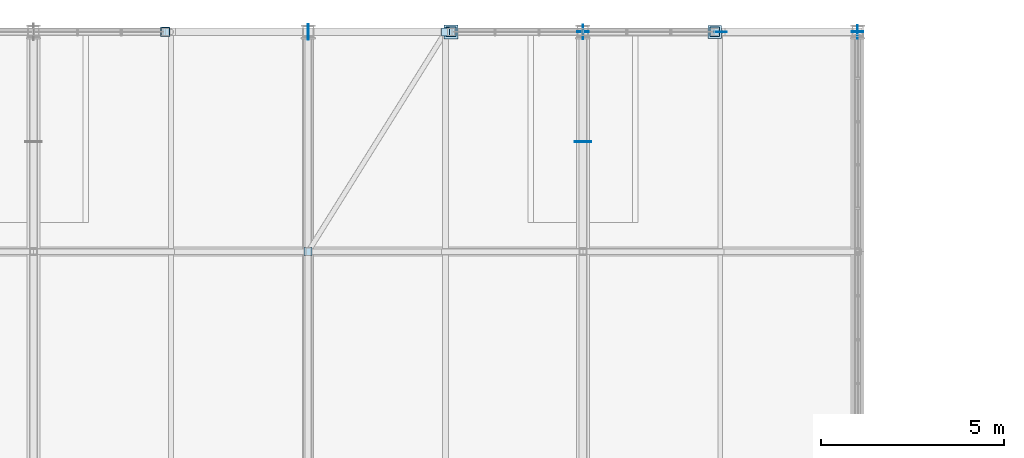
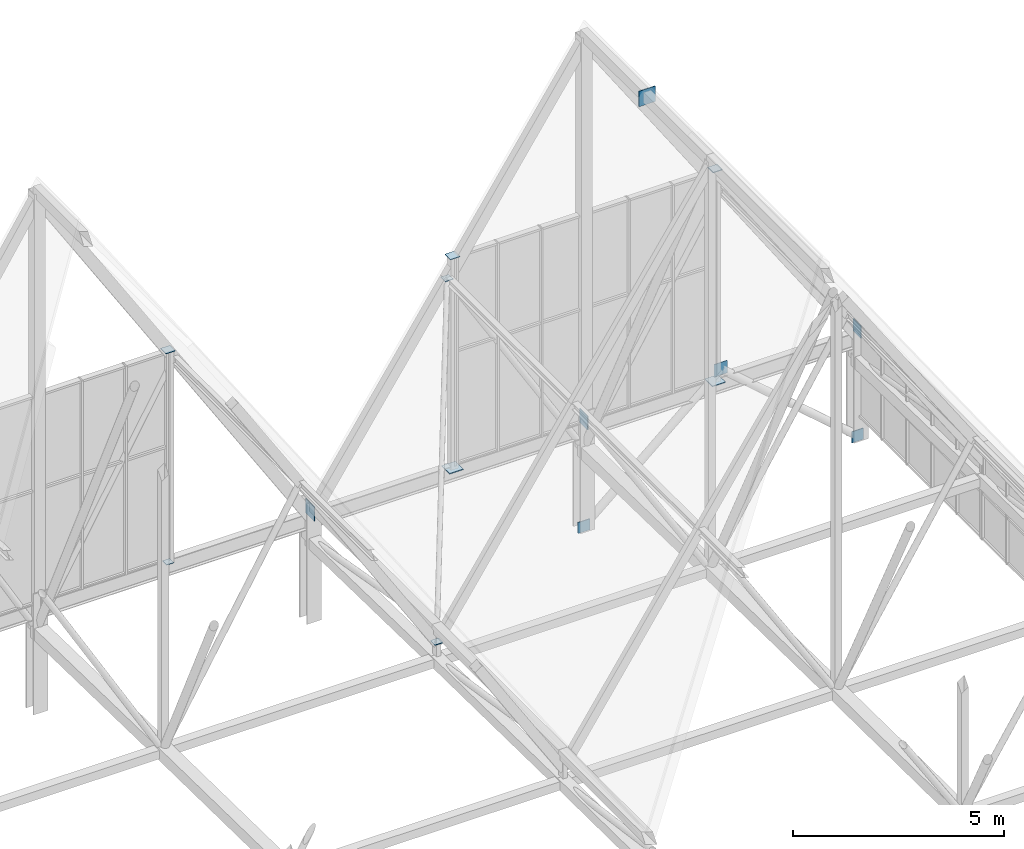
# One storey, part 304 of 324: 15 plates.
"""IFC4 building model written with IfcOpenShell, lengths in metres."""

from ifc_helpers import new_model, si_unit, direction, frame, origin, origin_2d, place, context, subcontext, project, spatial, rectangle, extrude, material, layer, layer_set, type_object, element, save


model = new_model("IFC4")

# Units and contexts
model_context = context("Model", 3, precision=1e-05, world=origin(), true_north=direction((0.0, 1.0)))
body_context = subcontext(model_context, "Body", "Model", "MODEL_VIEW")
ifc_project = project(units=[si_unit("LENGTHUNIT", "METRE"), si_unit("AREAUNIT", "SQUARE_METRE"), si_unit("VOLUMEUNIT", "CUBIC_METRE"), si_unit("PLANEANGLEUNIT", "RADIAN"), si_unit("MASSUNIT", "GRAM", prefix="KILO")], contexts=[model_context])

# Site, building, storey
site_placement = place(None, origin())
site = spatial("IfcSite", under=ifc_project, at=site_placement, CompositionType="ELEMENT")
building_placement = place(site_placement, origin())
building = spatial("IfcBuilding", under=site, at=building_placement, Name="Solvenia Promenade Tram Depot", CompositionType="ELEMENT")
storey_placement = place(building_placement, frame((0.0, 0.0, 4.5)))
storey = spatial("IfcBuildingStorey", under=building, at=storey_placement, Name="L01", CompositionType="ELEMENT", Elevation=4.5)

# Plates
ifc_material = material(Name="Structural steel ASTM A572 Gr. 50", Category="steel")
ifc_layer_1 = layer(ifc_material, 0.02392578125, Name="Structural steel ASTM A572 Gr. 50", Category="steel")
ifc_layer_set_1 = layer_set([ifc_layer_1], Name="Structural steel ASTM A572 Gr. 50")
plate_type_1 = type_object("IfcPlateType", Name="EndCap-CP1", PredefinedType="SHEET", material=ifc_layer_set_1)
plate_1_placement = place(storey_placement, frame((146.25, 126.0, 3.1201171875), z_axis=(0.0, 0.0, 1.0), x_axis=(1.0, 0.0, 0.0)))
element("IfcPlate", 1, at=plate_1_placement, inside=storey, type_object=plate_type_1, Name="Chevron Gusset Cap Plate 06", PredefinedType="SHEET", context=body_context, shape_type="SweptSolid", body=[
    extrude(rectangle(XDim=0.360107421875, YDim=0.02001953125, at=origin_2d()), origin(), (0.0, 0.0, 1.0), 0.360107421875),
])
for number, where, z_axis, x_axis, name in (
    (2, (142.5, 126.0, -0.10986328125), (0.0, 0.0, 1.0), (1.0, 0.0, 0.0), "Chevron Left Foot Gusset Plate 06"),
    (3, (150.0, 126.0, -0.10986328125), (0.0, 0.0, 1.0), (1.0, 0.0, 0.0), "Chevron Right Foot Gusset Plate 06"),
):
    element("IfcPlate", number, at=place(storey_placement, frame(where, z_axis=z_axis, x_axis=x_axis)), inside=storey, type_object=plate_type_1, Name=name, PredefinedType="SHEET", context=body_context, shape_type="SweptSolid", body=[
        extrude(rectangle(XDim=0.320068359375, YDim=0.02392578125, at=origin_2d()), origin(), (0.0, 0.0, 1.0), 0.320068359375),
    ])
ifc_layer_2 = layer(ifc_material, 0.012939453125, Name="Structural steel ASTM A572 Gr. 50", Category="steel")
ifc_layer_set_2 = layer_set([ifc_layer_2], Name="Structural steel ASTM A572 Gr. 50")
plate_type_2 = type_object("IfcPlateType", Name="EndCap-CP11", PredefinedType="SHEET", material=ifc_layer_set_2)
plate_2_placement = place(storey_placement, frame((131.10009765625, 126.0, 2.99365234375), z_axis=(0.0, 0.0, 1.0), x_axis=(1.0, 0.0, 0.0)))
element("IfcPlate", 4, at=plate_2_placement, inside=storey, type_object=plate_type_2, Name="Gable Jamb Bottom Cap Plate 034", PredefinedType="SHEET", context=body_context, shape_type="SweptSolid", body=[
    extrude(rectangle(XDim=0.199951171875, YDim=0.199951171875, at=origin_2d()), origin(), (0.0, 0.0, 1.0), 0.012939453125),
])
ifc_layer_3 = layer(ifc_material, 0.02197265625, Name="Structural steel ASTM A572 Gr. 50", Category="steel")
ifc_layer_set_3 = layer_set([ifc_layer_3], Name="Structural steel ASTM A572 Gr. 50")
plate_type_3 = type_object("IfcPlateType", Name="EndCap-CP2", PredefinedType="SHEET", material=ifc_layer_set_3)
plate_3_placement = place(storey_placement, frame((138.89990234375, 126.0, 2.989013671875), z_axis=(0.0, 0.0, 1.0), x_axis=(1.0, 0.0, 0.0)))
element("IfcPlate", 5, at=plate_3_placement, inside=storey, type_object=plate_type_3, Name="Gable Jamb Bottom Cap Plate 037", PredefinedType="SHEET", context=body_context, shape_type="SweptSolid", body=[
    extrude(rectangle(XDim=0.3798828125, YDim=0.3798828125, at=origin_2d()), origin(), (0.0, 0.0, 1.0), 0.02197265625),
])
ifc_layer_4 = layer(ifc_material, 0.02099609375, Name="Structural steel ASTM A572 Gr. 50", Category="steel")
ifc_layer_set_4 = layer_set([ifc_layer_4], Name="Structural steel ASTM A572 Gr. 50")
plate_type_4 = type_object("IfcPlateType", Name="EndCap-CP3", PredefinedType="SHEET", material=ifc_layer_set_4)
plate_4_placement = place(storey_placement, frame((146.10009765625, 126.0, 2.989501953125), z_axis=(0.0, 0.0, 1.0), x_axis=(1.0, 0.0, 0.0)))
element("IfcPlate", 6, at=plate_4_placement, inside=storey, type_object=plate_type_4, Name="Gable Jamb Bottom Cap Plate 038", PredefinedType="SHEET", context=body_context, shape_type="SweptSolid", body=[
    extrude(rectangle(XDim=0.360107421875, YDim=0.360107421875, at=origin_2d()), origin(), (0.0, 0.0, 1.0), 0.02099609375),
])
ifc_layer_5 = layer(ifc_material, 0.02001953125, Name="Structural steel ASTM A572 Gr. 50", Category="steel")
ifc_layer_set_5 = layer_set([ifc_layer_5], Name="Structural steel ASTM A572 Gr. 50")
plate_type_5 = type_object("IfcPlateType", Name="EndCap-CP4", PredefinedType="SHEET", material=ifc_layer_set_5)
for number, where, z_axis, x_axis, name in (
    (7, (131.10009765625, 126.0, 9.141845703125), (0.0, 0.0, 1.0), (1.0, 0.0, 0.0), "Gable Jamb Top Cap Plate 034"),
    (8, (138.89990234375, 126.0, 9.141845703125), (0.0, 0.0, 1.0), (1.0, 0.0, 0.0), "Gable Jamb Top Cap Plate 037"),
    (9, (146.10009765625, 126.0, 9.141845703125), (0.0, 0.0, 1.0), (1.0, 0.0, 0.0), "Gable Jamb Top Cap Plate 038"),
):
    element("IfcPlate", number, at=place(storey_placement, frame(where, z_axis=z_axis, x_axis=x_axis)), inside=storey, type_object=plate_type_5, Name=name, PredefinedType="SHEET", context=body_context, shape_type="SweptSolid", body=[
        extrude(rectangle(XDim=0.260009765625, YDim=0.260009765625, at=origin_2d()), origin(), (0.0, 0.0, 1.0), 0.01611328125),
    ])
ifc_layer_6 = layer(ifc_material, 0.01904296875, Name="Structural steel ASTM A572 Gr. 50", Category="steel")
ifc_layer_set_6 = layer_set([ifc_layer_6], Name="Structural steel ASTM A572 Gr. 50")
plate_type_6 = type_object("IfcPlateType", Name="EndCap-CP5", PredefinedType="SHEET", material=ifc_layer_set_6)
for number, where, z_axis, x_axis, name in (
    (10, (135.0, 120.0, 2.947509765625), (0.0, 0.0, 1.0), (1.0, 0.0, 0.0), "Roof Brace Node Plate 020A"),
    (11, (138.75, 126.0, 8.534912109375), (0.0, 0.0, 1.0), (1.0, 0.0, 0.0), "Roof Brace Node Plate 020B"),
):
    element("IfcPlate", number, at=place(storey_placement, frame(where, z_axis=z_axis, x_axis=x_axis)), inside=storey, type_object=plate_type_6, Name=name, PredefinedType="SHEET", context=body_context, shape_type="SweptSolid", body=[
        extrude(rectangle(XDim=0.219970703125, YDim=0.219970703125, at=origin_2d()), origin(), (0.0, 0.0, 1.0), 0.01904296875),
    ])
ifc_layer_7 = layer(ifc_material, 0.01708984375, Name="Structural steel ASTM A572 Gr. 50", Category="steel")
ifc_layer_set_7 = layer_set([ifc_layer_7], Name="Structural steel ASTM A572 Gr. 50")
plate_type_7 = type_object("IfcPlateType", Name="Gusset-GP10", PredefinedType="USERDEFINED", material=ifc_layer_set_7)
plate_5_placement = place(storey_placement, frame((150.0, 126.0, 2.96484375), z_axis=(0.0, 0.0, 1.0), x_axis=(1.0, 0.0, 0.0)))
element("IfcPlate", 12, at=plate_5_placement, inside=storey, type_object=plate_type_7, Name="Arched Truss Shoe Gusset 21N", ObjectType="GUSSET PLATE", PredefinedType="USERDEFINED", context=body_context, shape_type="SweptSolid", body=[
    extrude(rectangle(XDim=0.01708984375, YDim=0.3701171875, at=origin_2d()), origin(), (0.0, 0.0, 1.0), 0.3701171875),
])
ifc_layer_8 = layer(ifc_material, 0.02392578125, Name="Structural steel ASTM A572 Gr. 50", Category="steel")
ifc_layer_set_8 = layer_set([ifc_layer_8], Name="Structural steel ASTM A572 Gr. 50")
plate_type_8 = type_object("IfcPlateType", Name="Gusset-GP4", PredefinedType="USERDEFINED", material=ifc_layer_set_8)
plate_6_placement = place(storey_placement, frame((142.5, 123.0, 14.10009765625), z_axis=(0.0, 0.0, 1.0), x_axis=(1.0, 0.0, 0.0)))
element("IfcPlate", 13, at=plate_6_placement, inside=storey, type_object=plate_type_8, Name="Ridge Node Gusset T20-S10", ObjectType="GUSSET PLATE", PredefinedType="USERDEFINED", context=body_context, shape_type="SweptSolid", body=[
    extrude(rectangle(XDim=0.449951171875, YDim=0.02001953125, at=origin_2d()), origin(), (0.0, 0.0, 1.0), 0.449951171875),
])
ifc_layer_9 = layer(ifc_material, 0.01904296875, Name="Structural steel ASTM A572 Gr. 50", Category="steel")
ifc_layer_set_9 = layer_set([ifc_layer_9], Name="Structural steel ASTM A572 Gr. 50")
plate_type_9 = type_object("IfcPlateType", Name="Gusset-GP8", PredefinedType="USERDEFINED", material=ifc_layer_set_9)
plate_7_placement = place(storey_placement, frame((135.0, 126.0, 2.93994140625), z_axis=(0.0, 0.0, 1.0), x_axis=(1.0, 0.0, 0.0)))
element("IfcPlate", 14, at=plate_7_placement, inside=storey, type_object=plate_type_9, Name="Arched Truss Shoe Gusset 19N", ObjectType="GUSSET PLATE", PredefinedType="USERDEFINED", context=body_context, shape_type="SweptSolid", body=[
    extrude(rectangle(XDim=0.01904296875, YDim=0.419921875, at=origin_2d()), origin(), (0.0, 0.0, 1.0), 0.419921875),
])
ifc_layer_10 = layer(ifc_material, 0.01806640625, Name="Structural steel ASTM A572 Gr. 50", Category="steel")
ifc_layer_set_10 = layer_set([ifc_layer_10], Name="Structural steel ASTM A572 Gr. 50")
plate_type_10 = type_object("IfcPlateType", Name="Gusset-GP9", PredefinedType="USERDEFINED", material=ifc_layer_set_10)
plate_8_placement = place(storey_placement, frame((142.5, 126.0, 2.949951171875), z_axis=(0.0, 0.0, 1.0), x_axis=(1.0, 0.0, 0.0)))
element("IfcPlate", 15, at=plate_8_placement, inside=storey, type_object=plate_type_10, Name="Arched Truss Shoe Gusset 20N", ObjectType="GUSSET PLATE", PredefinedType="USERDEFINED", context=body_context, shape_type="SweptSolid", body=[
    extrude(rectangle(XDim=0.01806640625, YDim=0.39990234375, at=origin_2d()), origin(), (0.0, 0.0, 1.0), 0.39990234375),
])

save(model, "model.ifc")
